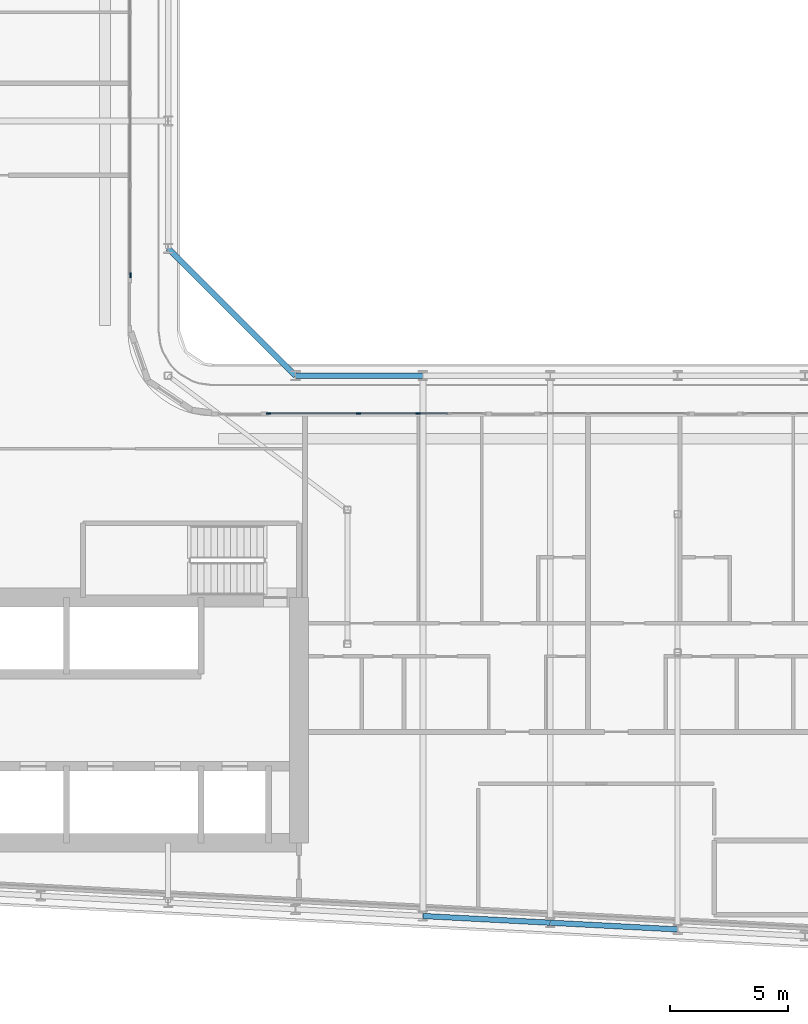
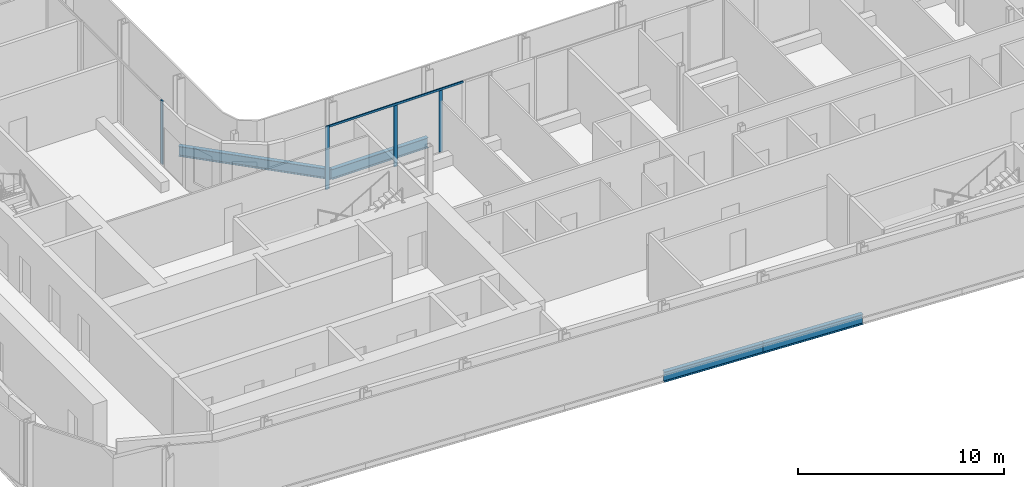
# One storey, part 6 of 28: 5 members, 4 beams, 2 elements without a shape of their own.
"""IFC4 building model written with IfcOpenShell, lengths in metres."""

import ifcopenshell
import ifcopenshell.guid

model = None  # the IFC model being written
_history = None  # IfcOwnerHistory: only IFC2X3 demands one
_inside = {}  # id of a spatial element -> (the spatial element, [elements in it])
_under = {}  # id of a project, library or spatial element -> (it, [spatial elements below it])
_declared = {}  # id of a project -> (the project, [libraries it declares])
_typed = {}  # id of a type object -> (the type object, [elements of that type])
_made_of = {}  # id of a material, layer set ... -> (it, [elements and type objects made of it])


def new_model(schema):
    """Start an empty IFC model of exactly this schema.

    Asked for "IFC4X3", IfcOpenShell would pick the latest addendum, in which some entities
    have other attributes; the version numbers below select the first issue.
    IFC2X3 requires an IfcOwnerHistory on every rooted entity: one is made here for all.
    """
    global model, _history
    if schema == "IFC4X3":
        model = ifcopenshell.file(schema_version=(4, 3, 0, 0))
    else:
        model = ifcopenshell.file(schema=schema)
    _inside.clear()
    _under.clear()
    _declared.clear()
    _typed.clear()
    _made_of.clear()
    _history = None
    if model.schema == "IFC2X3":
        org = make("IfcOrganization", Name="unknown")
        user = make(
            "IfcPersonAndOrganization",
            ThePerson=make("IfcPerson", FamilyName="unknown"),
            TheOrganization=org,
        )
        app = make(
            "IfcApplication",
            ApplicationDeveloper=org,
            Version="unknown",
            ApplicationFullName="unknown",
            ApplicationIdentifier="unknown",
        )
        _history = make(
            "IfcOwnerHistory",
            OwningUser=user,
            OwningApplication=app,
            ChangeAction="ADDED",
            CreationDate=0,
        )
    return model


def make(cls, **values):
    """One entity of the class cls with the attributes given. An attribute that is None is left unset."""
    return model.create_entity(
        cls, **{name: value for name, value in values.items() if value is not None}
    )


def rooted(cls, **values):
    """An entity with a GlobalId (a new one), such as an element, a storey or a relation."""
    return make(cls, GlobalId=ifcopenshell.guid.new(), OwnerHistory=_history, **values)


def si_unit(unit_type, name, prefix=None):
    """IfcSIUnit, for example si_unit("LENGTHUNIT", "METRE", prefix="MILLI")."""
    return make("IfcSIUnit", UnitType=unit_type, Prefix=prefix, Name=name)


def assignment(units):
    """IfcUnitAssignment: the units of a project."""
    return None if units is None else make("IfcUnitAssignment", Units=units)


def point(xyz):
    """IfcCartesianPoint."""
    return None if xyz is None else make("IfcCartesianPoint", Coordinates=xyz)


def direction(xyz):
    """IfcDirection."""
    return None if xyz is None else make("IfcDirection", DirectionRatios=xyz)


def frame(location, z_axis=None, x_axis=None):
    """IfcAxis2Placement3D, a coordinate frame: its origin and axes. An axis left out is left unset."""
    return make(
        "IfcAxis2Placement3D",
        Location=point(location),
        Axis=direction(z_axis),
        RefDirection=direction(x_axis),
    )


def frame_2d(location, x_axis=None):
    """IfcAxis2Placement2D, a coordinate frame in the plane: its origin and x axis."""
    return make(
        "IfcAxis2Placement2D", Location=point(location), RefDirection=direction(x_axis)
    )


def origin():
    """The frame at (0, 0, 0) with its axes left unset."""
    return frame((0.0, 0.0, 0.0))


def origin_2d():
    """The frame at (0, 0) in the plane with its x axis left unset."""
    return frame_2d((0.0, 0.0))


def place(relative_to, where):
    """IfcLocalPlacement: puts the frame where relative to a parent placement (None: the world)."""
    return make(
        "IfcLocalPlacement", PlacementRelTo=relative_to, RelativePlacement=where
    )


def context(
    kind, dimensions, precision=None, world=None, true_north=None, identifier=None
):
    """IfcGeometricRepresentationContext, for example the 3D "Model" context."""
    return make(
        "IfcGeometricRepresentationContext",
        ContextIdentifier=identifier,
        ContextType=kind,
        CoordinateSpaceDimension=dimensions,
        Precision=precision,
        WorldCoordinateSystem=world,
        TrueNorth=true_north,
    )


def subcontext(parent, identifier, kind, view, scale=None):
    """IfcGeometricRepresentationSubContext, for example "Body" below "Model"."""
    return make(
        "IfcGeometricRepresentationSubContext",
        ContextIdentifier=identifier,
        ContextType=kind,
        ParentContext=parent,
        TargetScale=scale,
        TargetView=view,
    )


def project(units=None, contexts=None):
    """IfcProject with its units and contexts."""
    return rooted(
        "IfcProject",
        Name="project",
        RepresentationContexts=contexts,
        UnitsInContext=assignment(units),
    )


def spatial(cls, under=None, at=None, **own):
    """A site, building, storey or space (cls), placed at a placement, below another one or the project."""
    s = rooted(cls, ObjectPlacement=at, **own)
    if under is not None:
        _under.setdefault(under.id(), (under, []))[1].append(s)
    return s


def profile(cls, at=None, kind="AREA", **sizes):
    """A parametric profile (cls). Its sizes go by their IFC names, for example OverallWidth=200.0."""
    return make(cls, ProfileType=kind, Position=at, **sizes)


def rectangle(**sizes):
    """IfcRectangleProfileDef."""
    return profile("IfcRectangleProfileDef", **sizes)


def i_section(**sizes):
    """IfcIShapeProfileDef."""
    return profile("IfcIShapeProfileDef", **sizes)


def extrude(swept, where, along, depth):
    """IfcExtrudedAreaSolid: the profile swept, set in the frame where, extruded along a direction by depth."""
    return make(
        "IfcExtrudedAreaSolid",
        SweptArea=swept,
        Position=where,
        ExtrudedDirection=direction(along),
        Depth=depth,
    )


def shape(context_of_items, identifier, shape_type, items):
    """IfcShapeRepresentation: the items that make up one representation, for example the "Body"."""
    return make(
        "IfcShapeRepresentation",
        ContextOfItems=context_of_items,
        RepresentationIdentifier=identifier,
        RepresentationType=shape_type,
        Items=items,
    )


def material(Name=None, Category=None):
    """IfcMaterial."""
    return make("IfcMaterial", Name=Name, Category=Category)


def layer(
    of_material, thickness, ventilated=None, Name=None, Category=None, Priority=None
):
    """IfcMaterialLayer: one layer of a wall or slab, of a material (None: an air gap)."""
    return make(
        "IfcMaterialLayer",
        Material=of_material,
        LayerThickness=thickness,
        IsVentilated=ventilated,
        Name=Name,
        Category=Category,
        Priority=Priority,
    )


def layer_set(layers, Name=None):
    """IfcMaterialLayerSet."""
    return make("IfcMaterialLayerSet", MaterialLayers=layers, LayerSetName=Name)


def material_profile(
    of_material, cross_section, Name=None, Category=None, Priority=None
):
    """IfcMaterialProfile: a cross section and its material."""
    return make(
        "IfcMaterialProfile",
        Name=Name,
        Material=of_material,
        Profile=cross_section,
        Priority=Priority,
        Category=Category,
    )


def profile_set(profiles, Name=None, composite=None):
    """IfcMaterialProfileSet."""
    return make(
        "IfcMaterialProfileSet",
        Name=Name,
        MaterialProfiles=profiles,
        CompositeProfile=composite,
    )


def made_of(thing, what):
    """Note that an element or type object is made of a material, layer set ...; save() writes the relation."""
    if what is not None:
        _made_of.setdefault(what.id(), (what, []))[1].append(thing)
    return thing


def type_object(cls, material=None, **own):
    """A type object (cls), such as IfcWallType, which elements share."""
    return made_of(rooted(cls, **own), material)


def element(
    cls,
    number,
    at=None,
    inside=None,
    cuts=None,
    type_object=None,
    material=None,
    context=None,
    identifier="Body",
    shape_type=None,
    held_by="IfcProductDefinitionShape",
    body=None,
    shapes=None,
    **own,
):
    """One element of the class cls, such as IfcWall. Its Tag is "e" and its number.

    at: its placement. inside: the storey or other place that contains it. cuts: it is an
    opening in that element (IfcRelVoidsElement). A single representation is given by context,
    identifier, shape_type and body (its items); several are given by shapes. held_by: the class
    of the entity that holds the representations. save() writes the other relations.
    """
    e = rooted(cls, Tag="e%d" % number, ObjectPlacement=at, **own)
    if body is not None:
        shapes = [shape(context, identifier, shape_type, body)]
    if shapes is not None:
        e.Representation = make(held_by, Representations=shapes)
    if inside is not None:
        _inside.setdefault(inside.id(), (inside, []))[1].append(e)
    if cuts is not None:
        rooted(
            "IfcRelVoidsElement", RelatingBuildingElement=cuts, RelatedOpeningElement=e
        )
    if type_object is not None:
        _typed.setdefault(type_object.id(), (type_object, []))[1].append(e)
    return made_of(e, material)


def aggregate(whole, parts):
    """IfcRelAggregates: a whole, such as a stair, and the parts it consists of."""
    return rooted("IfcRelAggregates", RelatingObject=whole, RelatedObjects=parts)


def save(model, path):
    """Write the relations noted so far, then the file.

    IfcRelAggregates (storeys below a building ...), IfcRelContainedInSpatialStructure (elements
    in a storey), IfcRelDefinesByType, IfcRelAssociatesMaterial and IfcRelDeclares: one each for
    every whole, place, type object, material and project.
    """
    for whole, parts in _under.values():
        aggregate(whole, parts)
    for where, things in _inside.values():
        rooted(
            "IfcRelContainedInSpatialStructure",
            RelatedElements=things,
            RelatingStructure=where,
        )
    for kind, things in _typed.values():
        rooted("IfcRelDefinesByType", RelatedObjects=things, RelatingType=kind)
    for what, things in _made_of.values():
        rooted("IfcRelAssociatesMaterial", RelatedObjects=things, RelatingMaterial=what)
    for by, libraries in _declared.values():
        rooted("IfcRelDeclares", RelatingContext=by, RelatedDefinitions=libraries)
    model.write(path)


model = new_model("IFC4")

# Units and contexts
model_context = context("Model", 3, precision=1e-05, world=origin(), true_north=direction((0.0, 1.0)))
body_context = subcontext(model_context, "Body", "Model", "MODEL_VIEW")
ifc_project = project(units=[si_unit("LENGTHUNIT", "METRE"), si_unit("AREAUNIT", "SQUARE_METRE"), si_unit("VOLUMEUNIT", "CUBIC_METRE"), si_unit("PLANEANGLEUNIT", "RADIAN"), si_unit("MASSUNIT", "GRAM", prefix="KILO")], contexts=[model_context])

# Site, building, storey
site_placement = place(None, origin())
site = spatial("IfcSite", under=ifc_project, at=site_placement, CompositionType="ELEMENT")
building_placement = place(site_placement, origin())
building = spatial("IfcBuilding", under=site, at=building_placement, Name="Kheshtan School and Residences Tower", CompositionType="ELEMENT")
storey_placement = place(building_placement, frame((0.0, 0.0, 187.699951171875)))
storey = spatial("IfcBuildingStorey", under=building, at=storey_placement, Name="L44", CompositionType="ELEMENT", Elevation=187.699951171875)

# Beams
ifc_material_1 = material(Name="Steel ASTM A992 Grade 50", Category="steel")
ifc_material_profile_1 = material_profile(ifc_material_1, i_section(OverallWidth=0.22802734375, OverallDepth=0.60302734375, WebThickness=0.010498046875, FlangeThickness=0.014892578125, FilletRadius=0.013427734375, at=origin_2d()), Name="W610x101")
ifc_profile_set_1 = profile_set([ifc_material_profile_1], Name="Steel ASTM A992 Grade 50")
beam_type = type_object("IfcBeamType", Name="Beam SP2 W610x101 ASTM A992 Grade 50", PredefinedType="BEAM", material=ifc_profile_set_1)
beam_1_placement = place(storey_placement, frame((47.60009765625, 51.0, -0.451416015625), z_axis=(0.707106781187, -0.707106781187, 0.0), x_axis=(0.707106781187, 0.707106781187, 0.0)))
element("IfcBeam", 1, at=beam_1_placement, inside=storey, type_object=beam_type, Name="Spandrel beam C079-C061", PredefinedType="BEAM", context=body_context, shape_type="SweptSolid", body=[
    extrude(i_section(OverallWidth=0.22802734375, OverallDepth=0.60302734375, WebThickness=0.010498046875, FlangeThickness=0.014892578125, FilletRadius=0.013427734375, at=origin_2d()), origin(), (0.0, 0.0, 1.0), 7.63671875),
])
beam_2_placement = place(storey_placement, frame((53.0, 45.60009765625, -0.451416015625), z_axis=(1.0, 0.0, 0.0), x_axis=(0.0, 1.0, 0.0)))
element("IfcBeam", 2, at=beam_2_placement, inside=storey, type_object=beam_type, Name="Spandrel beam C061-C062", PredefinedType="BEAM", context=body_context, shape_type="SweptSolid", body=[
    extrude(i_section(OverallWidth=0.22802734375, OverallDepth=0.60302734375, WebThickness=0.010498046875, FlangeThickness=0.014892578125, FilletRadius=0.013427734375, at=origin_2d()), origin(), (0.0, 0.0, 1.0), 5.39990234375),
])
beam_3_placement = place(storey_placement, frame((69.199951171875, 22.126953125, -0.451416015625), z_axis=(-0.998620447272, 0.05250906864, 0.0), x_axis=(-0.05250906864, -0.998620447272, 0.0)))
element("IfcBeam", 3, at=beam_3_placement, inside=storey, type_object=beam_type, Name="Spandrel beam C014-C016", PredefinedType="BEAM", context=body_context, shape_type="SweptSolid", body=[
    extrude(i_section(OverallWidth=0.22802734375, OverallDepth=0.60302734375, WebThickness=0.010498046875, FlangeThickness=0.014892578125, FilletRadius=0.013427734375, at=origin_2d()), origin(), (0.0, 0.0, 1.0), 5.407470703125),
])
beam_4_placement = place(storey_placement, frame((63.800048828125, 22.410888671875, -0.451416015625), z_axis=(-0.998618203458, 0.052551724256, 0.0), x_axis=(-0.052551724256, -0.998618203458, 0.0)))
element("IfcBeam", 4, at=beam_4_placement, inside=storey, type_object=beam_type, Name="Spandrel beam C016-C018", PredefinedType="BEAM", context=body_context, shape_type="SweptSolid", body=[
    extrude(i_section(OverallWidth=0.22802734375, OverallDepth=0.60302734375, WebThickness=0.010498046875, FlangeThickness=0.014892578125, FilletRadius=0.013427734375, at=origin_2d()), origin(), (0.0, 0.0, 1.0), 5.40771484375),
])

# Curtain wall, member
ifc_material_2 = material(Name="Clear low-e glass in thermally broken aluminium frame", Category="aluminium")
ifc_layer = layer(ifc_material_2, 0.199951171875)
ifc_layer_set = layer_set([ifc_layer], Name="Curtain wall CW-L")
curtain_wall_type = type_object("IfcCurtainWallType", Name="Curtain wall CW-L", PredefinedType="NOTDEFINED", material=ifc_layer_set)
curtain_wall_1_placement = place(storey_placement, origin())
curtain_wall_1 = element("IfcCurtainWall", 5, at=curtain_wall_1_placement, inside=storey, type_object=curtain_wall_type, Name="Curtain wall CWL8", PredefinedType="NOTDEFINED")
ifc_material_3 = material(Name="Thermally broken aluminium, dark bronze anodised", Category="aluminium")
ifc_material_profile_2 = material_profile(ifc_material_3, rectangle(XDim=0.06005859375, YDim=0.199951171875, at=origin_2d()), Name="CW-L mullion 60x200")
ifc_profile_set_2 = profile_set([ifc_material_profile_2], Name="Thermally broken aluminium, dark bronze anodised")
member_type_1 = type_object("IfcMemberType", Name="CW-L mullion 60x200", PredefinedType="MULLION", material=ifc_profile_set_2)
member_1_placement = place(storey_placement, frame((46.0, 49.860107421875, 0.0), z_axis=(0.0, 0.0, 1.0), x_axis=(1.0, 0.0, 0.0)))
member_1 = element("IfcMember", 6, at=member_1_placement, type_object=member_type_1, Name="CWL8 mullion 3", PredefinedType="MULLION", context=body_context, shape_type="SweptSolid", body=[
    extrude(rectangle(XDim=0.06005859375, YDim=0.199951171875, at=origin_2d()), origin(), (0.0, 0.0, 1.0), 3.75),
])
aggregate(curtain_wall_1, [member_1])

# Curtain wall, members
curtain_wall_2_placement = place(storey_placement, origin())
curtain_wall_2 = element("IfcCurtainWall", 7, at=curtain_wall_2_placement, inside=storey, type_object=curtain_wall_type, Name="Curtain wall CWL12k", PredefinedType="NOTDEFINED")
member_2_placement = place(storey_placement, frame((51.860107421875, 44.0, 0.0), z_axis=(0.0, 0.0, 1.0), x_axis=(0.0, 1.0, 0.0)))
member_2 = element("IfcMember", 8, at=member_2_placement, type_object=member_type_1, Name="CWL12k mullion 1", PredefinedType="MULLION", context=body_context, shape_type="SweptSolid", body=[
    extrude(rectangle(XDim=0.06005859375, YDim=0.199951171875, at=origin_2d()), origin(), (0.0, 0.0, 1.0), 3.75),
])
member_3_placement = place(storey_placement, frame((55.677001953125, 44.0, 0.0), z_axis=(0.0, 0.0, 1.0), x_axis=(0.0, 1.0, 0.0)))
member_3 = element("IfcMember", 9, at=member_3_placement, type_object=member_type_1, Name="CWL12k mullion 2", PredefinedType="MULLION", context=body_context, shape_type="SweptSolid", body=[
    extrude(rectangle(XDim=0.06005859375, YDim=0.199951171875, at=origin_2d()), origin(), (0.0, 0.0, 1.0), 3.630126953125),
])
member_4_placement = place(storey_placement, frame((58.199951171875, 44.0, 0.0), z_axis=(0.0, 0.0, 1.0), x_axis=(0.0, 1.0, 0.0)))
member_4 = element("IfcMember", 10, at=member_4_placement, type_object=member_type_1, Name="CWL12k mullion 3", PredefinedType="MULLION", context=body_context, shape_type="SweptSolid", body=[
    extrude(rectangle(XDim=0.06005859375, YDim=0.199951171875, at=origin_2d()), origin(), (0.0, 0.0, 1.0), 3.630126953125),
])
ifc_material_profile_3 = material_profile(ifc_material_3, rectangle(XDim=0.06005859375, YDim=0.1201171875, at=origin_2d()), Name="CW-L transom 60x120")
ifc_profile_set_3 = profile_set([ifc_material_profile_3], Name="Thermally broken aluminium, dark bronze anodised")
member_type_2 = type_object("IfcMemberType", Name="CW-L transom 60x120", PredefinedType="USERDEFINED", material=ifc_profile_set_3)
member_5_placement = place(storey_placement, frame((51.889892578125, 44.0, 3.68994140625), z_axis=(1.0, 0.0, 0.0), x_axis=(0.0, 1.0, 0.0)))
member_5 = element("IfcMember", 11, at=member_5_placement, type_object=member_type_2, Name="CWL12k transom 1", ObjectType="TRANSOM", PredefinedType="USERDEFINED", context=body_context, shape_type="SweptSolid", body=[
    extrude(rectangle(XDim=0.06005859375, YDim=0.1201171875, at=origin_2d()), origin(), (0.0, 0.0, 1.0), 7.57421875),
])
aggregate(curtain_wall_2, [member_2, member_3, member_4, member_5])

save(model, "model.ifc")
